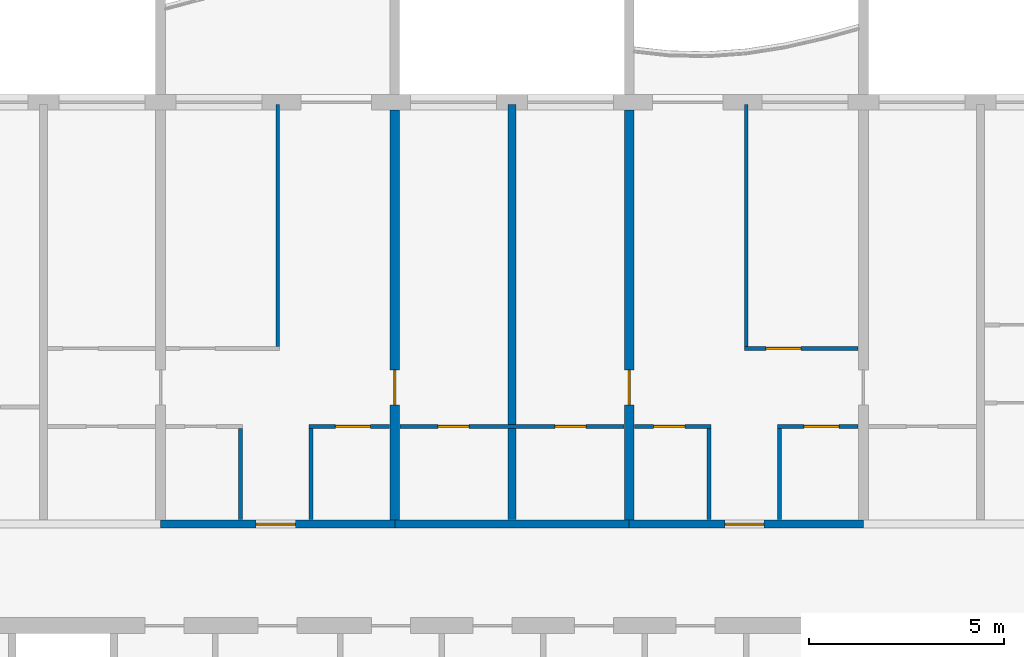
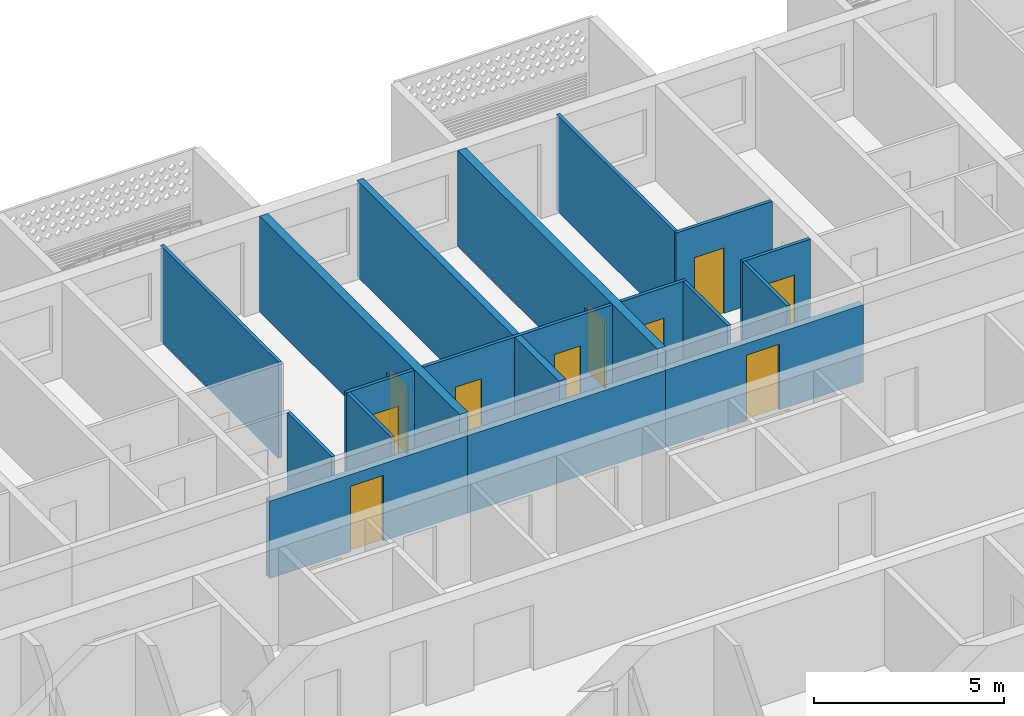
# One storey, part 9 of 27: 17 walls, 10 doors, 10 openings.
"""IFC4 building model written with IfcOpenShell, lengths in metres."""

from ifc_helpers import new_model, si_unit, direction, frame, frame_2d, origin, place, context, subcontext, project, spatial, rectangle, extrude, material, layer, layer_set, type_object, element, fill, save


model = new_model("IFC4")

# Units and contexts
model_context = context("Model", 3, precision=1e-05, world=origin(), true_north=direction((0.0, 1.0)))
body_context = subcontext(model_context, "Body", "Model", "MODEL_VIEW")
ifc_project = project(units=[si_unit("LENGTHUNIT", "METRE"), si_unit("AREAUNIT", "SQUARE_METRE"), si_unit("VOLUMEUNIT", "CUBIC_METRE"), si_unit("PLANEANGLEUNIT", "RADIAN"), si_unit("MASSUNIT", "GRAM", prefix="KILO")], contexts=[model_context])

# Site, building, storey
site_placement = place(None, origin())
site = spatial("IfcSite", under=ifc_project, at=site_placement, CompositionType="ELEMENT")
building_placement = place(site_placement, origin())
building = spatial("IfcBuilding", under=site, at=building_placement, Name="Poui Terraces", CompositionType="ELEMENT")
storey_placement = place(building_placement, frame((0.0, 0.0, 201.60009765625)))
storey = spatial("IfcBuildingStorey", under=building, at=storey_placement, Name="L56", CompositionType="ELEMENT", Elevation=201.60009765625)

# Wall, opening, door
ifc_material_1 = material(Name="Concrete 50 MPa", Category="concrete")
ifc_layer_1 = layer(ifc_material_1, 0.199951171875)
ifc_layer_set_1 = layer_set([ifc_layer_1], Name="Concrete 50 MPa")
wall_type_1 = type_object("IfcWallType", Name="CORRIDOR WALL 200 50MPa", PredefinedType="SHEAR", material=ifc_layer_set_1)
wall_1_placement = place(storey_placement, frame((48.0, 30.39990234375, 0.0), z_axis=(0.0, 0.0, 1.0), x_axis=(1.0, 0.0, 0.0)))
wall_1 = element("IfcWall", 1, at=wall_1_placement, inside=storey, type_object=wall_type_1, Name="CORRIDOR WALL LINE E BAY 6", PredefinedType="SHEAR", context=body_context, shape_type="SweptSolid", body=[
    extrude(rectangle(XDim=6.0, YDim=0.199951171875, at=frame_2d((3.0, 0.0))), origin(), (0.0, 0.0, 1.0), 2.47998046875),
])
opening_1_placement = place(wall_1_placement, frame((2.449951171875, 0.0, 0.0)))
opening_1 = element("IfcOpeningElement", 2, at=opening_1_placement, cuts=wall_1, Name="Opening FD30S", PredefinedType="OPENING", context=body_context, shape_type="SweptSolid", body=[
    extrude(rectangle(XDim=1.0, YDim=2.10009765625, at=frame_2d((0.5, 1.050048828125))), frame((0.0, 0.10986328125, 0.0), z_axis=(0.0, -1.0, 0.0), x_axis=(1.0, 0.0, 0.0)), (0.0, 0.0, 1.0), 0.219970703125),
])
ifc_material_2 = material(Name="Steel fire door", Category="steel")
door_type_1 = type_object("IfcDoorType", Name="FLAT ENTRANCE DOOR 1000 X 2100", OperationType="NOTDEFINED", PredefinedType="DOOR", material=ifc_material_2)
door_1_placement = place(opening_1_placement, origin())
door_1 = element("IfcDoor", 3, at=door_1_placement, inside=storey, type_object=door_type_1, Name="FLAT ENTRANCE DOOR 046", OperationType="SINGLE_SWING_LEFT", OverallHeight=2.10009765625, OverallWidth=1.0, PredefinedType="DOOR", context=body_context, shape_type="SweptSolid", body=[
    extrude(rectangle(XDim=1.0, YDim=2.10009765625, at=frame_2d((0.5, 1.050048828125))), frame((0.0, 0.02490234375, 0.0), z_axis=(0.0, -1.0, 0.0), x_axis=(1.0, 0.0, 0.0)), (0.0, 0.0, 1.0), 0.050048828125),
])
fill(opening_1, door_1)

# Wall
wall_2_placement = place(storey_placement, frame((54.0, 30.39990234375, 0.0), z_axis=(0.0, 0.0, 1.0), x_axis=(1.0, 0.0, 0.0)))
element("IfcWall", 4, at=wall_2_placement, inside=storey, type_object=wall_type_1, Name="CORRIDOR WALL LINE E BAY 7", PredefinedType="SHEAR", context=body_context, shape_type="SweptSolid", body=[
    extrude(rectangle(XDim=6.0, YDim=0.199951171875, at=frame_2d((3.0, 0.0))), origin(), (0.0, 0.0, 1.0), 2.47998046875),
])

# Wall, opening, door
wall_3_placement = place(storey_placement, frame((60.0, 30.39990234375, 0.0), z_axis=(0.0, 0.0, 1.0), x_axis=(1.0, 0.0, 0.0)))
wall_3 = element("IfcWall", 5, at=wall_3_placement, inside=storey, type_object=wall_type_1, Name="CORRIDOR WALL LINE E BAY 8", PredefinedType="SHEAR", context=body_context, shape_type="SweptSolid", body=[
    extrude(rectangle(XDim=6.0, YDim=0.199951171875, at=frame_2d((3.0, 0.0))), origin(), (0.0, 0.0, 1.0), 2.47998046875),
])
opening_2_placement = place(wall_3_placement, frame((2.449951171875, 0.0, 0.0)))
opening_2 = element("IfcOpeningElement", 6, at=opening_2_placement, cuts=wall_3, Name="Opening FD30S", PredefinedType="OPENING", context=body_context, shape_type="SweptSolid", body=[
    extrude(rectangle(XDim=1.0, YDim=2.10009765625, at=frame_2d((0.5, 1.050048828125))), frame((0.0, 0.10986328125, 0.0), z_axis=(0.0, -1.0, 0.0), x_axis=(1.0, 0.0, 0.0)), (0.0, 0.0, 1.0), 0.219970703125),
])
door_2_placement = place(opening_2_placement, origin())
door_2 = element("IfcDoor", 7, at=door_2_placement, inside=storey, type_object=door_type_1, Name="FLAT ENTRANCE DOOR 053", OperationType="SINGLE_SWING_LEFT", OverallHeight=2.10009765625, OverallWidth=1.0, PredefinedType="DOOR", context=body_context, shape_type="SweptSolid", body=[
    extrude(rectangle(XDim=1.0, YDim=2.10009765625, at=frame_2d((0.5, 1.050048828125))), frame((0.0, 0.02490234375, 0.0), z_axis=(0.0, -1.0, 0.0), x_axis=(1.0, 0.0, 0.0)), (0.0, 0.0, 1.0), 0.050048828125),
])
fill(opening_2, door_2)

ifc_layer_2 = layer(ifc_material_1, 0.25)
ifc_layer_set_2 = layer_set([ifc_layer_2], Name="Concrete 50 MPa")
wall_type_2 = type_object("IfcWallType", Name="CROSS WALL 250 50MPa", PredefinedType="SHEAR", material=ifc_layer_set_2)
wall_4_placement = place(storey_placement, frame((54.0, 30.5, 0.0), z_axis=(0.0, 0.0, 1.0), x_axis=(0.0, 1.0, 0.0)))
wall_4 = element("IfcWall", 8, at=wall_4_placement, inside=storey, type_object=wall_type_2, Name="CROSS WALL LINE 10 NORTH", PredefinedType="SHEAR", context=body_context, shape_type="SweptSolid", body=[
    extrude(rectangle(XDim=10.5, YDim=0.25, at=frame_2d((5.25, 0.0))), origin(), (0.0, 0.0, 1.0), 3.079833984375),
])
opening_3_placement = place(wall_4_placement, frame((2.949951171875, 0.0, 0.0)))
opening_3 = element("IfcOpeningElement", 9, at=opening_3_placement, cuts=wall_4, Name="Opening D90", PredefinedType="OPENING", context=body_context, shape_type="SweptSolid", body=[
    extrude(rectangle(XDim=0.89990234375, YDim=2.10009765625, at=frame_2d((0.449951171875, 1.050048828125))), frame((0.0, 0.135009765625, 0.0), z_axis=(0.0, -1.0, 0.0), x_axis=(1.0, 0.0, 0.0)), (0.0, 0.0, 1.0), 0.27001953125),
])
ifc_material_3 = material(Name="Solid core timber door", Category="wood")
door_type_2 = type_object("IfcDoorType", Name="INTERNAL DOOR 900 X 2100", OperationType="NOTDEFINED", PredefinedType="DOOR", material=ifc_material_3)
door_3_placement = place(opening_3_placement, frame((0.89990234375, 0.0, 0.0), z_axis=(0.0, 0.0, 1.0), x_axis=(-1.0, 0.0, 0.0)))
door_3 = element("IfcDoor", 10, at=door_3_placement, inside=storey, type_object=door_type_2, Name="INTERNAL DOOR 048", OperationType="SINGLE_SWING_RIGHT", OverallHeight=2.10009765625, OverallWidth=0.89990234375, PredefinedType="DOOR", context=body_context, shape_type="SweptSolid", body=[
    extrude(rectangle(XDim=0.89990234375, YDim=2.10009765625, at=frame_2d((0.449951171875, 1.050048828125))), frame((0.0, 0.02490234375, 0.0), z_axis=(0.0, -1.0, 0.0), x_axis=(1.0, 0.0, 0.0)), (0.0, 0.0, 1.0), 0.050048828125),
])
fill(opening_3, door_3)

wall_5_placement = place(storey_placement, frame((60.0, 30.5, 0.0), z_axis=(0.0, 0.0, 1.0), x_axis=(0.0, 1.0, 0.0)))
wall_5 = element("IfcWall", 11, at=wall_5_placement, inside=storey, type_object=wall_type_2, Name="CROSS WALL LINE 11 NORTH", PredefinedType="SHEAR", context=body_context, shape_type="SweptSolid", body=[
    extrude(rectangle(XDim=10.5, YDim=0.25, at=frame_2d((5.25, 0.0))), origin(), (0.0, 0.0, 1.0), 3.079833984375),
])
opening_4_placement = place(wall_5_placement, frame((2.949951171875, 0.0, 0.0)))
opening_4 = element("IfcOpeningElement", 12, at=opening_4_placement, cuts=wall_5, Name="Opening D90", PredefinedType="OPENING", context=body_context, shape_type="SweptSolid", body=[
    extrude(rectangle(XDim=0.89990234375, YDim=2.10009765625, at=frame_2d((0.449951171875, 1.050048828125))), frame((0.0, 0.135009765625, 0.0), z_axis=(0.0, -1.0, 0.0), x_axis=(1.0, 0.0, 0.0)), (0.0, 0.0, 1.0), 0.27001953125),
])
door_4_placement = place(opening_4_placement, origin())
door_4 = element("IfcDoor", 13, at=door_4_placement, inside=storey, type_object=door_type_2, Name="INTERNAL DOOR 051", OperationType="SINGLE_SWING_LEFT", OverallHeight=2.10009765625, OverallWidth=0.89990234375, PredefinedType="DOOR", context=body_context, shape_type="SweptSolid", body=[
    extrude(rectangle(XDim=0.89990234375, YDim=2.10009765625, at=frame_2d((0.449951171875, 1.050048828125))), frame((0.0, 0.02490234375, 0.0), z_axis=(0.0, -1.0, 0.0), x_axis=(1.0, 0.0, 0.0)), (0.0, 0.0, 1.0), 0.050048828125),
])
fill(opening_4, door_4)

ifc_material_4 = material(Name="Plasterboard partition")
ifc_layer_3 = layer(ifc_material_4, 0.10009765625)
ifc_layer_set_3 = layer_set([ifc_layer_3], Name="Plasterboard partition")
wall_type_3 = type_object("IfcWallType", Name="FLAT PARTITION 100", PredefinedType="PARTITIONING", material=ifc_layer_set_3)
wall_6_placement = place(storey_placement, frame((51.800048828125, 32.89990234375, 0.0), z_axis=(0.0, 0.0, 1.0), x_axis=(1.0, 0.0, 0.0)))
wall_6 = element("IfcWall", 14, at=wall_6_placement, inside=storey, type_object=wall_type_3, Name="FLAT PARTITION 100", PredefinedType="PARTITIONING", context=body_context, shape_type="SweptSolid", body=[
    extrude(rectangle(XDim=2.06494140625, YDim=0.10009765625, at=frame_2d((1.032470703125, 0.0))), origin(), (0.0, 0.0, 1.0), 3.079833984375),
])
opening_5_placement = place(wall_6_placement, frame((0.675048828125, 0.0, 0.0)))
opening_5 = element("IfcOpeningElement", 15, at=opening_5_placement, cuts=wall_6, Name="Opening D90", PredefinedType="OPENING", context=body_context, shape_type="SweptSolid", body=[
    extrude(rectangle(XDim=0.89990234375, YDim=2.10009765625, at=frame_2d((0.449951171875, 1.050048828125))), frame((0.0, 0.06005859375, 0.0), z_axis=(0.0, -1.0, 0.0), x_axis=(1.0, 0.0, 0.0)), (0.0, 0.0, 1.0), 0.1201171875),
])
door_5_placement = place(opening_5_placement, frame((0.89990234375, 0.0, 0.0), z_axis=(0.0, 0.0, 1.0), x_axis=(-1.0, 0.0, 0.0)))
door_5 = element("IfcDoor", 16, at=door_5_placement, inside=storey, type_object=door_type_2, Name="INTERNAL DOOR 047", OperationType="SINGLE_SWING_LEFT", OverallHeight=2.10009765625, OverallWidth=0.89990234375, PredefinedType="DOOR", context=body_context, shape_type="SweptSolid", body=[
    extrude(rectangle(XDim=0.89990234375, YDim=2.10009765625, at=frame_2d((0.449951171875, 1.050048828125))), frame((0.0, 0.02490234375, 0.0), z_axis=(0.0, -1.0, 0.0), x_axis=(1.0, 0.0, 0.0)), (0.0, 0.0, 1.0), 0.050048828125),
])
fill(opening_5, door_5)

# Wall, openings, doors
wall_7_placement = place(storey_placement, frame((54.135009765625, 32.89990234375, 0.0), z_axis=(0.0, 0.0, 1.0), x_axis=(1.0, 0.0, 0.0)))
wall_7 = element("IfcWall", 17, at=wall_7_placement, inside=storey, type_object=wall_type_3, Name="FLAT PARTITION 100", PredefinedType="PARTITIONING", context=body_context, shape_type="SweptSolid", body=[
    extrude(rectangle(XDim=5.72998046875, YDim=0.10009765625, at=frame_2d((2.864990234375, 0.0))), origin(), (0.0, 0.0, 1.0), 3.079833984375),
])
opening_6_placement = place(wall_7_placement, frame((0.965087890625, 0.0, 0.0)))
opening_6 = element("IfcOpeningElement", 18, at=opening_6_placement, cuts=wall_7, Name="Opening D80", PredefinedType="OPENING", context=body_context, shape_type="SweptSolid", body=[
    extrude(rectangle(XDim=0.800048828125, YDim=2.10009765625, at=frame_2d((0.39990234375, 1.050048828125))), frame((0.0, 0.06005859375, 0.0), z_axis=(0.0, -1.0, 0.0), x_axis=(1.0, 0.0, 0.0)), (0.0, 0.0, 1.0), 0.1201171875),
])
opening_7_placement = place(wall_7_placement, frame((3.965087890625, 0.0, 0.0)))
opening_7 = element("IfcOpeningElement", 19, at=opening_7_placement, cuts=wall_7, Name="Opening D80", PredefinedType="OPENING", context=body_context, shape_type="SweptSolid", body=[
    extrude(rectangle(XDim=0.800048828125, YDim=2.10009765625, at=frame_2d((0.39990234375, 1.050048828125))), frame((0.0, 0.06005859375, 0.0), z_axis=(0.0, -1.0, 0.0), x_axis=(1.0, 0.0, 0.0)), (0.0, 0.0, 1.0), 0.1201171875),
])
door_type_3 = type_object("IfcDoorType", Name="BATHROOM, LAUNDRY AND STORE DOOR 800 X 2100", OperationType="NOTDEFINED", PredefinedType="DOOR", material=ifc_material_3)
door_6_placement = place(opening_6_placement, frame((0.800048828125, 0.0, 0.0), z_axis=(0.0, 0.0, 1.0), x_axis=(-1.0, 0.0, 0.0)))
door_6 = element("IfcDoor", 20, at=door_6_placement, inside=storey, type_object=door_type_3, Name="BATHROOM, LAUNDRY AND STORE DOOR 040", OperationType="SINGLE_SWING_RIGHT", OverallHeight=2.10009765625, OverallWidth=0.800048828125, PredefinedType="DOOR", context=body_context, shape_type="SweptSolid", body=[
    extrude(rectangle(XDim=0.800048828125, YDim=2.10009765625, at=frame_2d((0.39990234375, 1.050048828125))), frame((0.0, 0.02490234375, 0.0), z_axis=(0.0, -1.0, 0.0), x_axis=(1.0, 0.0, 0.0)), (0.0, 0.0, 1.0), 0.050048828125),
])
fill(opening_6, door_6)
door_7_placement = place(opening_7_placement, frame((0.800048828125, 0.0, 0.0), z_axis=(0.0, 0.0, 1.0), x_axis=(-1.0, 0.0, 0.0)))
door_7 = element("IfcDoor", 21, at=door_7_placement, inside=storey, type_object=door_type_3, Name="BATHROOM, LAUNDRY AND STORE DOOR 049", OperationType="SINGLE_SWING_LEFT", OverallHeight=2.10009765625, OverallWidth=0.800048828125, PredefinedType="DOOR", context=body_context, shape_type="SweptSolid", body=[
    extrude(rectangle(XDim=0.800048828125, YDim=2.10009765625, at=frame_2d((0.39990234375, 1.050048828125))), frame((0.0, 0.02490234375, 0.0), z_axis=(0.0, -1.0, 0.0), x_axis=(1.0, 0.0, 0.0)), (0.0, 0.0, 1.0), 0.050048828125),
])
fill(opening_7, door_7)

# Wall, opening, door
wall_8_placement = place(storey_placement, frame((60.135009765625, 32.89990234375, 0.0), z_axis=(0.0, 0.0, 1.0), x_axis=(1.0, 0.0, 0.0)))
wall_8 = element("IfcWall", 22, at=wall_8_placement, inside=storey, type_object=wall_type_3, Name="FLAT PARTITION 100", PredefinedType="PARTITIONING", context=body_context, shape_type="SweptSolid", body=[
    extrude(rectangle(XDim=1.965087890625, YDim=0.10009765625, at=frame_2d((0.982421875, 0.0))), origin(), (0.0, 0.0, 1.0), 3.079833984375),
])
opening_8_placement = place(wall_8_placement, frame((0.489990234375, 0.0, 0.0)))
opening_8 = element("IfcOpeningElement", 23, at=opening_8_placement, cuts=wall_8, Name="Opening D80", PredefinedType="OPENING", context=body_context, shape_type="SweptSolid", body=[
    extrude(rectangle(XDim=0.800048828125, YDim=2.10009765625, at=frame_2d((0.39990234375, 1.050048828125))), frame((0.0, 0.06005859375, 0.0), z_axis=(0.0, -1.0, 0.0), x_axis=(1.0, 0.0, 0.0)), (0.0, 0.0, 1.0), 0.1201171875),
])
door_8_placement = place(opening_8_placement, frame((0.800048828125, 0.0, 0.0), z_axis=(0.0, 0.0, 1.0), x_axis=(-1.0, 0.0, 0.0)))
door_8 = element("IfcDoor", 24, at=door_8_placement, inside=storey, type_object=door_type_3, Name="BATHROOM, LAUNDRY AND STORE DOOR 052", OperationType="SINGLE_SWING_LEFT", OverallHeight=2.10009765625, OverallWidth=0.800048828125, PredefinedType="DOOR", context=body_context, shape_type="SweptSolid", body=[
    extrude(rectangle(XDim=0.800048828125, YDim=2.10009765625, at=frame_2d((0.39990234375, 1.050048828125))), frame((0.0, 0.02490234375, 0.0), z_axis=(0.0, -1.0, 0.0), x_axis=(1.0, 0.0, 0.0)), (0.0, 0.0, 1.0), 0.050048828125),
])
fill(opening_8, door_8)

wall_9_placement = place(storey_placement, frame((63.800048828125, 32.89990234375, 0.0), z_axis=(0.0, 0.0, 1.0), x_axis=(1.0, 0.0, 0.0)))
wall_9 = element("IfcWall", 25, at=wall_9_placement, inside=storey, type_object=wall_type_3, Name="FLAT PARTITION 100", PredefinedType="PARTITIONING", context=body_context, shape_type="SweptSolid", body=[
    extrude(rectangle(XDim=2.06494140625, YDim=0.10009765625, at=frame_2d((1.032470703125, 0.0))), origin(), (0.0, 0.0, 1.0), 3.079833984375),
])
opening_9_placement = place(wall_9_placement, frame((0.675048828125, 0.0, 0.0)))
opening_9 = element("IfcOpeningElement", 26, at=opening_9_placement, cuts=wall_9, Name="Opening D90", PredefinedType="OPENING", context=body_context, shape_type="SweptSolid", body=[
    extrude(rectangle(XDim=0.89990234375, YDim=2.10009765625, at=frame_2d((0.449951171875, 1.050048828125))), frame((0.0, 0.06005859375, 0.0), z_axis=(0.0, -1.0, 0.0), x_axis=(1.0, 0.0, 0.0)), (0.0, 0.0, 1.0), 0.1201171875),
])
door_9_placement = place(opening_9_placement, frame((0.89990234375, 0.0, 0.0), z_axis=(0.0, 0.0, 1.0), x_axis=(-1.0, 0.0, 0.0)))
door_9 = element("IfcDoor", 27, at=door_9_placement, inside=storey, type_object=door_type_2, Name="INTERNAL DOOR 055", OperationType="SINGLE_SWING_RIGHT", OverallHeight=2.10009765625, OverallWidth=0.89990234375, PredefinedType="DOOR", context=body_context, shape_type="SweptSolid", body=[
    extrude(rectangle(XDim=0.89990234375, YDim=2.10009765625, at=frame_2d((0.449951171875, 1.050048828125))), frame((0.0, 0.02490234375, 0.0), z_axis=(0.0, -1.0, 0.0), x_axis=(1.0, 0.0, 0.0)), (0.0, 0.0, 1.0), 0.050048828125),
])
fill(opening_9, door_9)

wall_10_placement = place(storey_placement, frame((62.949951171875, 34.89990234375, 0.0), z_axis=(0.0, 0.0, 1.0), x_axis=(1.0, 0.0, 0.0)))
wall_10 = element("IfcWall", 28, at=wall_10_placement, inside=storey, type_object=wall_type_3, Name="FLAT PARTITION 100", PredefinedType="PARTITIONING", context=body_context, shape_type="SweptSolid", body=[
    extrude(rectangle(XDim=2.9150390625, YDim=0.10009765625, at=frame_2d((1.45751953125, 0.0))), origin(), (0.0, 0.0, 1.0), 3.079833984375),
])
opening_10_placement = place(wall_10_placement, frame((0.550048828125, 0.0, 0.0)))
opening_10 = element("IfcOpeningElement", 29, at=opening_10_placement, cuts=wall_10, Name="Opening D90", PredefinedType="OPENING", context=body_context, shape_type="SweptSolid", body=[
    extrude(rectangle(XDim=0.89990234375, YDim=2.10009765625, at=frame_2d((0.449951171875, 1.050048828125))), frame((0.0, 0.06005859375, 0.0), z_axis=(0.0, -1.0, 0.0), x_axis=(1.0, 0.0, 0.0)), (0.0, 0.0, 1.0), 0.1201171875),
])
door_10_placement = place(opening_10_placement, frame((0.89990234375, 0.0, 0.0), z_axis=(0.0, 0.0, 1.0), x_axis=(-1.0, 0.0, 0.0)))
door_10 = element("IfcDoor", 30, at=door_10_placement, inside=storey, type_object=door_type_2, Name="INTERNAL DOOR 054", OperationType="SINGLE_SWING_LEFT", OverallHeight=2.10009765625, OverallWidth=0.89990234375, PredefinedType="DOOR", context=body_context, shape_type="SweptSolid", body=[
    extrude(rectangle(XDim=0.89990234375, YDim=2.10009765625, at=frame_2d((0.449951171875, 1.050048828125))), frame((0.0, 0.02490234375, 0.0), z_axis=(0.0, -1.0, 0.0), x_axis=(1.0, 0.0, 0.0)), (0.0, 0.0, 1.0), 0.050048828125),
])
fill(opening_10, door_10)

# Walls
wall_11_placement = place(storey_placement, frame((50.050048828125, 30.510009765625, 0.0), z_axis=(0.0, 0.0, 1.0), x_axis=(0.0, 1.0, 0.0)))
element("IfcWall", 31, at=wall_11_placement, inside=storey, type_object=wall_type_3, Name="FLAT PARTITION 100", PredefinedType="PARTITIONING", context=body_context, shape_type="SweptSolid", body=[
    extrude(rectangle(XDim=2.340087890625, YDim=0.10009765625, at=frame_2d((1.169921875, 0.0))), origin(), (0.0, 0.0, 1.0), 3.079833984375),
])
wall_12_placement = place(storey_placement, frame((51.0, 34.949951171875, 0.0), z_axis=(0.0, 0.0, 1.0), x_axis=(0.0, 1.0, 0.0)))
element("IfcWall", 32, at=wall_12_placement, inside=storey, type_object=wall_type_3, Name="FLAT PARTITION 100", PredefinedType="PARTITIONING", context=body_context, shape_type="SweptSolid", body=[
    extrude(rectangle(XDim=6.18994140625, YDim=0.10009765625, at=frame_2d((3.094970703125, 0.0))), origin(), (0.0, 0.0, 1.0), 3.079833984375),
])
for number, where, z_axis, x_axis, name in (
    (33, (51.85009765625, 30.510009765625, 0.0), (0.0, 0.0, 1.0), (0.0, 1.0, 0.0), "FLAT PARTITION 100"),
    (34, (62.050048828125, 30.510009765625, 0.0), (0.0, 0.0, 1.0), (0.0, 1.0, 0.0), "FLAT PARTITION 100"),
):
    element("IfcWall", number, at=place(storey_placement, frame(where, z_axis=z_axis, x_axis=x_axis)), inside=storey, type_object=wall_type_3, Name=name, PredefinedType="PARTITIONING", context=body_context, shape_type="SweptSolid", body=[
        extrude(rectangle(XDim=2.340087890625, YDim=0.10009765625, at=frame_2d((1.169921875, 0.0))), origin(), (0.0, 0.0, 1.0), 3.079833984375),
    ])
wall_13_placement = place(storey_placement, frame((63.0, 34.949951171875, 0.0), z_axis=(0.0, 0.0, 1.0), x_axis=(0.0, 1.0, 0.0)))
element("IfcWall", 35, at=wall_13_placement, inside=storey, type_object=wall_type_3, Name="FLAT PARTITION 100", PredefinedType="PARTITIONING", context=body_context, shape_type="SweptSolid", body=[
    extrude(rectangle(XDim=6.18994140625, YDim=0.10009765625, at=frame_2d((3.094970703125, 0.0))), origin(), (0.0, 0.0, 1.0), 3.079833984375),
])
wall_14_placement = place(storey_placement, frame((63.85009765625, 30.510009765625, 0.0), z_axis=(0.0, 0.0, 1.0), x_axis=(0.0, 1.0, 0.0)))
element("IfcWall", 36, at=wall_14_placement, inside=storey, type_object=wall_type_3, Name="FLAT PARTITION 100", PredefinedType="PARTITIONING", context=body_context, shape_type="SweptSolid", body=[
    extrude(rectangle(XDim=2.340087890625, YDim=0.10009765625, at=frame_2d((1.169921875, 0.0))), origin(), (0.0, 0.0, 1.0), 3.079833984375),
])
ifc_material_5 = material(Name="Fire-rated masonry wall", Category="masonry")
ifc_layer_4 = layer(ifc_material_5, 0.199951171875)
ifc_layer_set_4 = layer_set([ifc_layer_4], Name="Fire-rated masonry wall")
wall_type_4 = type_object("IfcWallType", Name="FLAT PARTY WALL 200", PredefinedType="PARTITIONING", material=ifc_layer_set_4)
wall_15_placement = place(storey_placement, frame((57.0, 30.510009765625, 0.0), z_axis=(0.0, 0.0, 1.0), x_axis=(0.0, 1.0, 0.0)))
element("IfcWall", 37, at=wall_15_placement, inside=storey, type_object=wall_type_4, Name="FLAT PARTY WALL 200", PredefinedType="PARTITIONING", context=body_context, shape_type="SweptSolid", body=[
    extrude(rectangle(XDim=10.6298828125, YDim=0.199951171875, at=frame_2d((5.31494140625, 0.0))), origin(), (0.0, 0.0, 1.0), 3.079833984375),
])

save(model, "model.ifc")
